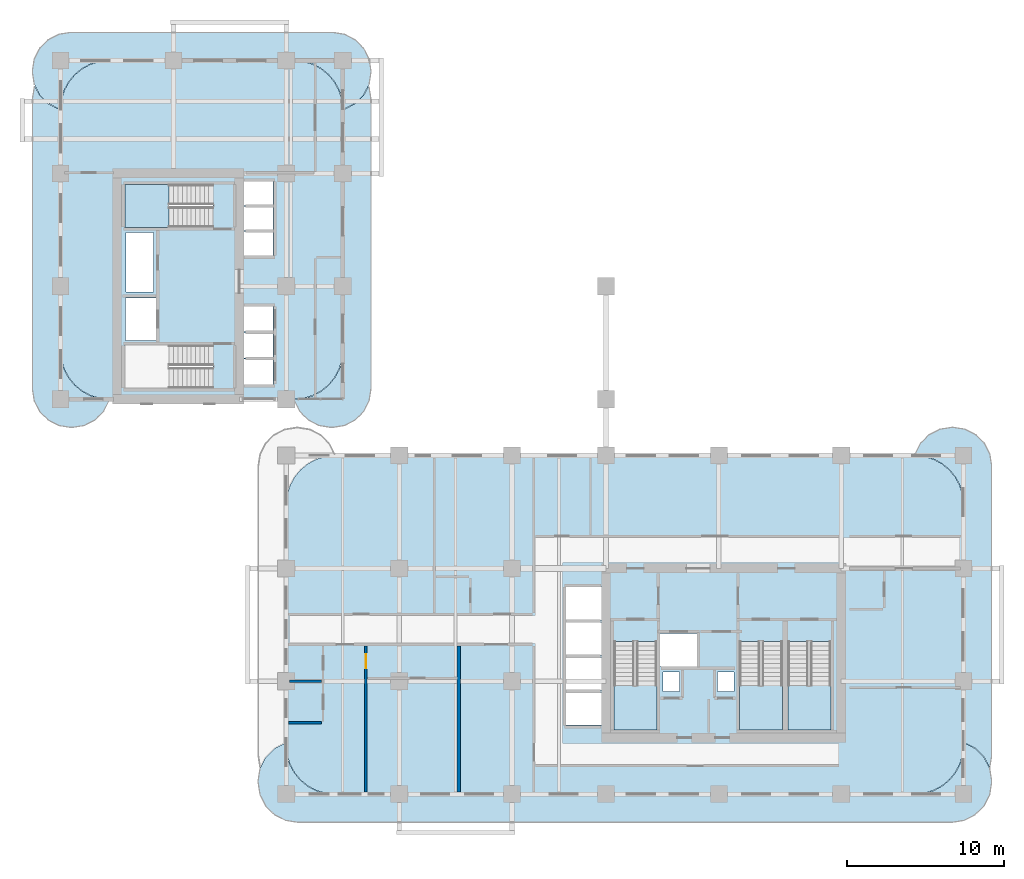
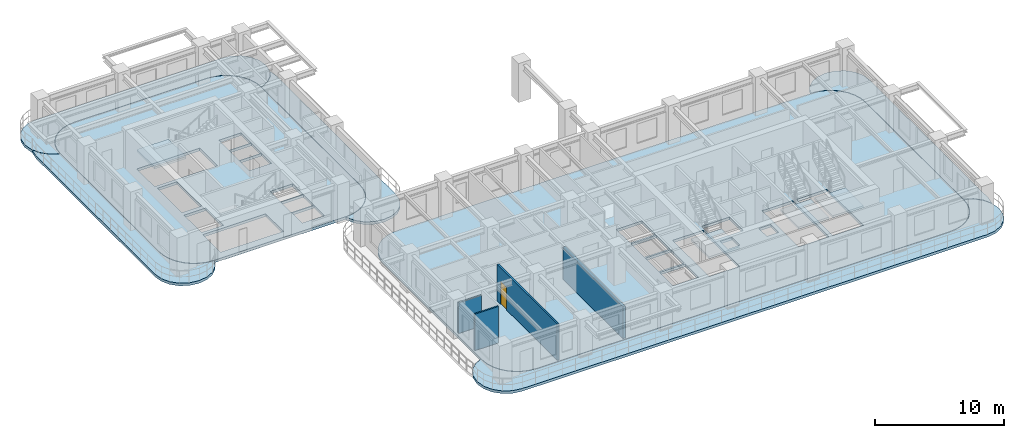
# One storey, part 5 of 18: 11 slabs, 4 walls, 1 door, 1 opening, 4 elements without a shape of their own.
"""IFC4 building model written with IfcOpenShell, lengths in metres."""

from ifc_helpers import new_model, si_unit, derived_unit, direction, frame, frame_2d, origin, place, context, subcontext, project, spatial, polyline, rectangle, outline, extrude, source, transform, mapped, material, layer, layer_set, type_object, type_shapes, element, fill, aggregate, save


model = new_model("IFC4")

# Units and contexts
model_context = context("Model", 3, precision=1e-05, world=origin(), true_north=direction((0.0, 1.0)))
body_context = subcontext(model_context, "Body", "Model", "MODEL_VIEW")
ifc_project = project(units=[si_unit("LENGTHUNIT", "METRE"), si_unit("AREAUNIT", "SQUARE_METRE"), si_unit("VOLUMEUNIT", "CUBIC_METRE"), si_unit("PLANEANGLEUNIT", "RADIAN"), si_unit("MASSUNIT", "GRAM", prefix="KILO"), si_unit("THERMODYNAMICTEMPERATUREUNIT", "KELVIN"), si_unit("POWERUNIT", "WATT"), derived_unit("THERMALTRANSMITTANCEUNIT", [(si_unit("POWERUNIT", "WATT"), 1), (si_unit("AREAUNIT", "SQUARE_METRE"), -1), (si_unit("THERMODYNAMICTEMPERATUREUNIT", "KELVIN"), -1)])], contexts=[model_context])

# Site, building, storey
site_placement = place(None, origin())
site = spatial("IfcSite", under=ifc_project, at=site_placement, CompositionType="ELEMENT")
building_placement = place(site_placement, origin())
building = spatial("IfcBuilding", under=site, at=building_placement, Name="Zahravan Archway Hotel and Residences", CompositionType="ELEMENT")
storey_placement = place(building_placement, frame((0.0, 0.0, 58.300048828125)))
storey = spatial("IfcBuildingStorey", under=building, at=storey_placement, Name="L13", CompositionType="ELEMENT", Elevation=58.300048828125)

# Slabs
ifc_material_1 = material(Name="Concrete C45/55", Category="concrete")
ifc_layer_1 = layer(ifc_material_1, 0.25, Name="Concrete C45/55", Category="concrete")
ifc_layer_set_1 = layer_set([ifc_layer_1], Name="Concrete C45/55")
slab_type_1 = type_object("IfcSlabType", Name="SLB-BALC-250", PredefinedType="FLOOR", material=ifc_layer_set_1)
slab_1_placement = place(storey_placement, frame((0.0, 0.0, -0.25)))
element("IfcSlab", 1, at=slab_1_placement, inside=storey, type_object=slab_type_1, Name="L13 Wing A South Rounded Balcony Band", PredefinedType="FLOOR", context=body_context, shape_type="SweptSolid", body=[
    extrude(outline(polyline([(57.637939453125, 3.275146484375), (58.348876953125, 2.9130859375), (58.9130859375, 2.348876953125), (59.275146484375, 1.637939453125), (59.39990234375, 0.85009765625), (59.39990234375, 0.75), (59.275146484375, -0.0380859375), (58.9130859375, -0.748779296875), (58.348876953125, -1.31298828125), (57.637939453125, -1.67529296875), (56.85009765625, -1.800048828125), (15.14990234375, -1.800048828125), (14.362060546875, -1.67529296875), (13.651123046875, -1.31298828125), (13.0869140625, -0.748779296875), (12.724853515625, -0.0380859375), (12.60009765625, 0.75), (12.60009765625, 0.85009765625), (12.724853515625, 1.637939453125), (13.0869140625, 2.348876953125), (13.651123046875, 2.9130859375), (14.362060546875, 3.275146484375), (14.3798828125, 3.278076171875), (14.3798828125, 3.10009765625), (14.380126953125, 3.097900390625), (14.439697265625, 2.4931640625), (14.43994140625, 2.4912109375), (14.4404296875, 2.489501953125), (14.616943359375, 1.907958984375), (14.617431640625, 1.906005859375), (14.618408203125, 1.904296875), (14.90478515625, 1.368408203125), (14.90576171875, 1.36669921875), (14.906982421875, 1.364990234375), (15.29248046875, 0.895263671875), (15.2939453125, 0.893798828125), (15.29541015625, 0.892578125), (15.764892578125, 0.5068359375), (15.7666015625, 0.505859375), (15.768310546875, 0.5048828125), (16.30419921875, 0.218505859375), (16.305908203125, 0.217529296875), (16.307861328125, 0.216796875), (16.889404296875, 0.04052734375), (16.891357421875, 0.0400390625), (16.893310546875, 0.039794921875), (17.498046875, -0.02001953125), (17.5, -0.02001953125), (54.5, -0.02001953125), (54.501953125, -0.02001953125), (55.106689453125, 0.039794921875), (55.108642578125, 0.0400390625), (55.110595703125, 0.04052734375), (55.692138671875, 0.216796875), (55.694091796875, 0.217529296875), (55.69580078125, 0.218505859375), (56.231689453125, 0.5048828125), (56.2333984375, 0.505859375), (56.235107421875, 0.5068359375), (56.70458984375, 0.892578125), (56.7060546875, 0.893798828125), (56.70751953125, 0.895263671875), (57.093017578125, 1.364990234375), (57.09423828125, 1.36669921875), (57.09521484375, 1.368408203125), (57.381591796875, 1.904296875), (57.382568359375, 1.906005859375), (57.383056640625, 1.907958984375), (57.5595703125, 2.489501953125), (57.56005859375, 2.4912109375), (57.560302734375, 2.4931640625), (57.619873046875, 3.097900390625), (57.6201171875, 3.10009765625), (57.6201171875, 3.278076171875), (57.637939453125, 3.275146484375)])), origin(), (0.0, 0.0, 1.0), 0.25),
])
slab_2_placement = place(storey_placement, frame((0.0, 0.0, -0.25)))
element("IfcSlab", 2, at=slab_2_placement, inside=storey, type_object=slab_type_1, Name="L13 Wing A East Rounded Balcony Band", PredefinedType="FLOOR", context=body_context, shape_type="SweptSolid", body=[
    extrude(outline(polyline([(54.52001953125, 21.70703125), (54.867919921875, 22.39013671875), (55.409912109375, 22.93212890625), (56.093017578125, 23.280029296875), (56.85009765625, 23.39990234375), (56.949951171875, 23.39990234375), (57.70703125, 23.280029296875), (58.39013671875, 22.93212890625), (58.93212890625, 22.39013671875), (59.280029296875, 21.70703125), (59.39990234375, 20.949951171875), (59.39990234375, 2.449951171875), (59.280029296875, 1.69287109375), (59.27490234375, 1.6826171875), (58.930908203125, 2.35791015625), (58.9296875, 2.35986328125), (58.928466796875, 2.361572265625), (58.927001953125, 2.363037109375), (58.363037109375, 2.927001953125), (58.361572265625, 2.928466796875), (58.35986328125, 2.9296875), (58.35791015625, 2.930908203125), (57.647216796875, 3.29296875), (57.645263671875, 3.2939453125), (57.643310546875, 3.29443359375), (57.64111328125, 3.294921875), (57.623046875, 3.2978515625), (57.62109375, 3.298095703125), (57.6201171875, 3.298095703125), (57.6201171875, 18.5), (57.619873046875, 18.501953125), (57.560302734375, 19.106689453125), (57.56005859375, 19.108642578125), (57.5595703125, 19.110595703125), (57.383056640625, 19.692138671875), (57.382568359375, 19.694091796875), (57.381591796875, 19.69580078125), (57.09521484375, 20.231689453125), (57.09423828125, 20.2333984375), (57.093017578125, 20.235107421875), (56.70751953125, 20.70458984375), (56.7060546875, 20.7060546875), (56.70458984375, 20.70751953125), (56.235107421875, 21.093017578125), (56.2333984375, 21.09423828125), (56.231689453125, 21.09521484375), (55.69580078125, 21.381591796875), (55.694091796875, 21.382568359375), (55.692138671875, 21.383056640625), (55.110595703125, 21.5595703125), (55.108642578125, 21.56005859375), (55.106689453125, 21.560302734375), (54.506103515625, 21.619384765625), (54.52001953125, 21.70703125)])), origin(), (0.0, 0.0, 1.0), 0.25),
])
slab_3_placement = place(storey_placement, frame((0.0, 0.0, -0.25)))
element("IfcSlab", 3, at=slab_3_placement, inside=storey, type_object=slab_type_1, Name="L13 Wing B North Rounded Balcony Band", PredefinedType="FLOOR", context=body_context, shape_type="SweptSolid", body=[
    extrude(outline(polyline([(-0.107177734375, 43.719970703125), (-0.7900390625, 44.06787109375), (-1.33203125, 44.60986328125), (-1.68017578125, 45.29296875), (-1.800048828125, 46.050048828125), (-1.800048828125, 46.14990234375), (-1.68017578125, 46.906982421875), (-1.33203125, 47.590087890625), (-0.7900390625, 48.132080078125), (-0.107177734375, 48.47998046875), (0.64990234375, 48.60009765625), (17.35009765625, 48.60009765625), (18.107177734375, 48.47998046875), (18.7900390625, 48.132080078125), (19.33203125, 47.590087890625), (19.68017578125, 46.906982421875), (19.800048828125, 46.14990234375), (19.800048828125, 46.050048828125), (19.68017578125, 45.29296875), (19.33203125, 44.60986328125), (18.7900390625, 44.06787109375), (18.107177734375, 43.719970703125), (18.01953125, 43.7060546875), (17.960205078125, 44.306884765625), (17.9599609375, 44.30859375), (17.95947265625, 44.310546875), (17.783203125, 44.89208984375), (17.782470703125, 44.89404296875), (17.781494140625, 44.895751953125), (17.4951171875, 45.431640625), (17.494140625, 45.433349609375), (17.4931640625, 45.43505859375), (17.107421875, 45.90478515625), (17.106201171875, 45.906005859375), (17.104736328125, 45.907470703125), (16.635009765625, 46.293212890625), (16.63330078125, 46.294189453125), (16.631591796875, 46.295166015625), (16.095703125, 46.58154296875), (16.093994140625, 46.58251953125), (16.092041015625, 46.5830078125), (15.510498046875, 46.759521484375), (15.5087890625, 46.760009765625), (15.5068359375, 46.76025390625), (14.902099609375, 46.81982421875), (14.89990234375, 46.820068359375), (3.10009765625, 46.820068359375), (3.097900390625, 46.81982421875), (2.4931640625, 46.76025390625), (2.4912109375, 46.760009765625), (2.489501953125, 46.759521484375), (1.907958984375, 46.5830078125), (1.906005859375, 46.58251953125), (1.904296875, 46.58154296875), (1.368408203125, 46.295166015625), (1.36669921875, 46.294189453125), (1.364990234375, 46.293212890625), (0.895263671875, 45.907470703125), (0.893798828125, 45.906005859375), (0.892578125, 45.90478515625), (0.5068359375, 45.43505859375), (0.505859375, 45.433349609375), (0.5048828125, 45.431640625), (0.218505859375, 44.895751953125), (0.217529296875, 44.89404296875), (0.216796875, 44.89208984375), (0.04052734375, 44.310546875), (0.0400390625, 44.30859375), (0.039794921875, 44.306884765625), (-0.01953125, 43.7060546875), (-0.107177734375, 43.719970703125)])), origin(), (0.0, 0.0, 1.0), 0.25),
])
slab_4_placement = place(storey_placement, frame((0.0, 0.0, -0.25)))
element("IfcSlab", 4, at=slab_4_placement, inside=storey, type_object=slab_type_1, Name="L13 Wing B West Rounded Balcony Band", PredefinedType="FLOOR", context=body_context, shape_type="SweptSolid", body=[
    extrude(outline(polyline([(3.080078125, 25.093017578125), (2.732177734375, 24.409912109375), (2.190185546875, 23.867919921875), (1.507080078125, 23.52001953125), (0.75, 23.39990234375), (0.64990234375, 23.39990234375), (-0.107177734375, 23.52001953125), (-0.7900390625, 23.867919921875), (-1.33203125, 24.409912109375), (-1.68017578125, 25.093017578125), (-1.800048828125, 25.85009765625), (-1.800048828125, 44.35009765625), (-1.68017578125, 45.107177734375), (-1.64404296875, 45.177978515625), (-1.349853515625, 44.600830078125), (-1.348876953125, 44.59912109375), (-1.34765625, 44.597412109375), (-1.34619140625, 44.595703125), (-0.80419921875, 44.0537109375), (-0.802734375, 44.052490234375), (-0.801025390625, 44.051025390625), (-0.79931640625, 44.050048828125), (-0.1162109375, 43.7021484375), (-0.1142578125, 43.701171875), (-0.1123046875, 43.70068359375), (-0.110107421875, 43.7001953125), (-0.022705078125, 43.686279296875), (-0.020751953125, 43.68603515625), (-0.02001953125, 43.68603515625), (-0.02001953125, 28.300048828125), (-0.02001953125, 28.298095703125), (0.039794921875, 27.693115234375), (0.0400390625, 27.69140625), (0.04052734375, 27.689453125), (0.216796875, 27.10791015625), (0.217529296875, 27.10595703125), (0.218505859375, 27.104248046875), (0.5048828125, 26.568359375), (0.505859375, 26.566650390625), (0.5068359375, 26.56494140625), (0.892578125, 26.09521484375), (0.893798828125, 26.093994140625), (0.895263671875, 26.092529296875), (1.364990234375, 25.706787109375), (1.36669921875, 25.705810546875), (1.368408203125, 25.704833984375), (1.904296875, 25.41845703125), (1.906005859375, 25.41748046875), (1.907958984375, 25.4169921875), (2.489501953125, 25.240478515625), (2.4912109375, 25.239990234375), (2.4931640625, 25.23974609375), (3.093994140625, 25.180419921875), (3.080078125, 25.093017578125)])), origin(), (0.0, 0.0, 1.0), 0.25),
])
slab_5_placement = place(storey_placement, frame((0.0, 0.0, -0.25)))
element("IfcSlab", 5, at=slab_5_placement, inside=storey, type_object=slab_type_1, Name="L13 Wing B East Rounded Balcony Band", PredefinedType="FLOOR", context=body_context, shape_type="SweptSolid", body=[
    extrude(outline(polyline([(19.68017578125, 45.107177734375), (19.800048828125, 44.35009765625), (19.800048828125, 25.85009765625), (19.68017578125, 25.093017578125), (19.33203125, 24.409912109375), (18.7900390625, 23.867919921875), (18.107177734375, 23.52001953125), (17.35009765625, 23.39990234375), (17.25, 23.39990234375), (16.492919921875, 23.52001953125), (15.809814453125, 23.867919921875), (15.267822265625, 24.409912109375), (14.919921875, 25.093017578125), (14.906005859375, 25.180419921875), (15.5068359375, 25.23974609375), (15.5087890625, 25.239990234375), (15.510498046875, 25.240478515625), (16.092041015625, 25.4169921875), (16.093994140625, 25.41748046875), (16.095703125, 25.41845703125), (16.631591796875, 25.704833984375), (16.63330078125, 25.705810546875), (16.635009765625, 25.706787109375), (17.104736328125, 26.092529296875), (17.106201171875, 26.093994140625), (17.107421875, 26.09521484375), (17.4931640625, 26.56494140625), (17.494140625, 26.566650390625), (17.4951171875, 26.568359375), (17.781494140625, 27.104248046875), (17.782470703125, 27.10595703125), (17.783203125, 27.10791015625), (17.95947265625, 27.689453125), (17.9599609375, 27.69140625), (17.960205078125, 27.693115234375), (18.02001953125, 28.298095703125), (18.02001953125, 28.300048828125), (18.02001953125, 43.68603515625), (18.020751953125, 43.68603515625), (18.022705078125, 43.686279296875), (18.110107421875, 43.7001953125), (18.1123046875, 43.70068359375), (18.1142578125, 43.701171875), (18.1162109375, 43.7021484375), (18.79931640625, 44.050048828125), (18.801025390625, 44.051025390625), (18.802734375, 44.052490234375), (18.80419921875, 44.0537109375), (19.34619140625, 44.595703125), (19.34765625, 44.597412109375), (19.348876953125, 44.59912109375), (19.349853515625, 44.600830078125), (19.64404296875, 45.177978515625), (19.68017578125, 45.107177734375)])), origin(), (0.0, 0.0, 1.0), 0.25),
])
ifc_layer_2 = layer(ifc_material_1, 0.25, Name="Concrete C45/55", Category="concrete")
ifc_layer_set_2 = layer_set([ifc_layer_2], Name="Concrete C45/55")
slab_type_2 = type_object("IfcSlabType", Name="SLB-FLR-250", PredefinedType="FLOOR", material=ifc_layer_set_2)
slab_6_placement = place(storey_placement, frame((0.0, 0.0, -0.25)))
element("IfcSlab", 6, at=slab_6_placement, inside=storey, type_object=slab_type_2, Name="L13 Floor Slab WA", PredefinedType="FLOOR", context=body_context, shape_type="SweptSolid", body=[
    extrude(outline(polyline([(54.5, 0.0), (55.104736328125, 0.0595703125), (55.686279296875, 0.236083984375), (56.222412109375, 0.5224609375), (56.69189453125, 0.907958984375), (57.07763671875, 1.377685546875), (57.364013671875, 1.913818359375), (57.540283203125, 2.4951171875), (57.60009765625, 3.10009765625), (57.60009765625, 18.5), (57.540283203125, 19.104736328125), (57.364013671875, 19.686279296875), (57.07763671875, 20.222412109375), (56.69189453125, 20.69189453125), (56.222412109375, 21.07763671875), (55.686279296875, 21.364013671875), (55.104736328125, 21.540283203125), (54.5, 21.60009765625), (17.5, 21.60009765625), (16.895263671875, 21.540283203125), (16.313720703125, 21.364013671875), (15.777587890625, 21.07763671875), (15.30810546875, 20.69189453125), (14.92236328125, 20.222412109375), (14.635986328125, 19.686279296875), (14.459716796875, 19.104736328125), (14.39990234375, 18.5), (14.39990234375, 3.10009765625), (14.459716796875, 2.4951171875), (14.635986328125, 1.913818359375), (14.92236328125, 1.377685546875), (15.30810546875, 0.907958984375), (15.777587890625, 0.5224609375), (16.313720703125, 0.236083984375), (16.895263671875, 0.0595703125), (17.5, 0.0), (54.5, 0.0)]), holes=[polyline([(35.300048828125, 9.72998046875), (35.300048828125, 4.10009765625), (38.0400390625, 4.10009765625), (38.0400390625, 9.72998046875), (35.300048828125, 9.72998046875)]), polyline([(43.320068359375, 9.72998046875), (43.320068359375, 4.10009765625), (46.06005859375, 4.10009765625), (46.06005859375, 9.72998046875), (43.320068359375, 9.72998046875)]), polyline([(46.39990234375, 9.72998046875), (46.39990234375, 4.10009765625), (49.139892578125, 4.10009765625), (49.139892578125, 9.72998046875), (46.39990234375, 9.72998046875)]), polyline([(38.179931640625, 8.14990234375), (40.699951171875, 8.14990234375), (40.699951171875, 10.25), (38.179931640625, 10.25), (38.179931640625, 8.14990234375)]), polyline([(32.25, 4.39990234375), (34.550048828125, 4.39990234375), (34.550048828125, 6.47998046875), (32.25, 6.47998046875), (32.25, 4.39990234375)]), polyline([(32.25, 6.639892578125), (34.550048828125, 6.639892578125), (34.550048828125, 8.719970703125), (32.25, 8.719970703125), (32.25, 6.639892578125)]), polyline([(32.25, 8.8798828125), (34.550048828125, 8.8798828125), (34.550048828125, 10.9599609375), (32.25, 10.9599609375), (32.25, 8.8798828125)]), polyline([(32.25, 11.1201171875), (34.550048828125, 11.1201171875), (34.550048828125, 13.199951171875), (32.25, 13.199951171875), (32.25, 11.1201171875)]), polyline([(38.419921875, 6.56005859375), (39.5, 6.56005859375), (39.5, 7.780029296875), (38.419921875, 7.780029296875), (38.419921875, 6.56005859375)]), polyline([(41.89990234375, 6.56005859375), (42.9599609375, 6.56005859375), (42.9599609375, 7.780029296875), (41.89990234375, 7.780029296875), (41.89990234375, 6.56005859375)])]), origin(), (0.0, 0.0, 1.0), 0.25),
])
slab_7_placement = place(storey_placement, frame((0.0, 0.0, -0.25)))
element("IfcSlab", 7, at=slab_7_placement, inside=storey, type_object=slab_type_2, Name="L13 Floor Slab WB", PredefinedType="FLOOR", context=body_context, shape_type="SweptSolid", body=[
    extrude(outline(polyline([(14.89990234375, 25.199951171875), (15.5048828125, 25.259521484375), (16.086181640625, 25.43603515625), (16.622314453125, 25.722412109375), (17.092041015625, 26.10791015625), (17.4775390625, 26.57763671875), (17.763916015625, 27.11376953125), (17.9404296875, 27.6953125), (18.0, 28.300048828125), (18.0, 43.699951171875), (17.9404296875, 44.3046875), (17.763916015625, 44.88623046875), (17.4775390625, 45.42236328125), (17.092041015625, 45.89208984375), (16.622314453125, 46.277587890625), (16.086181640625, 46.56396484375), (15.5048828125, 46.740478515625), (14.89990234375, 46.800048828125), (3.10009765625, 46.800048828125), (2.4951171875, 46.740478515625), (1.913818359375, 46.56396484375), (1.377685546875, 46.277587890625), (0.907958984375, 45.89208984375), (0.5224609375, 45.42236328125), (0.236083984375, 44.88623046875), (0.0595703125, 44.3046875), (0.0, 43.699951171875), (0.0, 28.300048828125), (0.0595703125, 27.6953125), (0.236083984375, 27.11376953125), (0.5224609375, 26.57763671875), (0.907958984375, 26.10791015625), (1.377685546875, 25.722412109375), (1.913818359375, 25.43603515625), (2.4951171875, 25.259521484375), (3.10009765625, 25.199951171875), (14.89990234375, 25.199951171875)]), holes=[polyline([(9.72998046875, 28.639892578125), (4.10009765625, 28.639892578125), (4.10009765625, 25.89990234375), (9.72998046875, 25.89990234375), (9.72998046875, 28.639892578125)]), polyline([(9.72998046875, 38.89990234375), (4.10009765625, 38.89990234375), (4.10009765625, 36.159912109375), (9.72998046875, 36.159912109375), (9.72998046875, 38.89990234375)]), polyline([(4.14990234375, 28.949951171875), (6.10009765625, 28.949951171875), (6.10009765625, 31.64990234375), (4.14990234375, 31.64990234375), (4.14990234375, 28.949951171875)]), polyline([(11.550048828125, 26.14990234375), (13.550048828125, 26.14990234375), (13.550048828125, 27.75), (11.550048828125, 27.75), (11.550048828125, 26.14990234375)]), polyline([(11.550048828125, 27.830078125), (13.550048828125, 27.830078125), (13.550048828125, 29.429931640625), (11.550048828125, 29.429931640625), (11.550048828125, 27.830078125)]), polyline([(11.550048828125, 29.510009765625), (13.550048828125, 29.510009765625), (13.550048828125, 31.110107421875), (11.550048828125, 31.110107421875), (11.550048828125, 29.510009765625)]), polyline([(11.550048828125, 34.35009765625), (13.550048828125, 34.35009765625), (13.550048828125, 35.889892578125), (11.550048828125, 35.889892578125), (11.550048828125, 34.35009765625)]), polyline([(11.550048828125, 35.949951171875), (13.550048828125, 35.949951171875), (13.550048828125, 37.489990234375), (11.550048828125, 37.489990234375), (11.550048828125, 35.949951171875)]), polyline([(11.550048828125, 37.550048828125), (13.550048828125, 37.550048828125), (13.550048828125, 39.090087890625), (11.550048828125, 39.090087890625), (11.550048828125, 37.550048828125)]), polyline([(4.179931640625, 32.050048828125), (5.93994140625, 32.050048828125), (5.93994140625, 35.840087890625), (4.179931640625, 35.840087890625), (4.179931640625, 32.050048828125)])]), origin(), (0.0, 0.0, 1.0), 0.25),
])

# Stair, slab
ifc_material_2 = material(Name="Concrete C50/60", Category="concrete")
stair_type = type_object("IfcStairType", Name="STR-CORE-1300", PredefinedType="HALF_TURN_STAIR", material=ifc_material_2)
stair_1_placement = place(storey_placement, origin())
stair_1 = element("IfcStair", 8, at=stair_1_placement, inside=storey, type_object=stair_type, Name="L13 Core A Exit Stair 1", PredefinedType="HALF_TURN_STAIR")
ifc_layer_3 = layer(ifc_material_2, 0.199951171875, Name="Concrete C50/60", Category="concrete")
ifc_layer_set_3 = layer_set([ifc_layer_3], Name="Concrete C50/60")
slab_type_3 = type_object("IfcSlabType", Name="SLB-LND-200", PredefinedType="LANDING", material=ifc_layer_set_3)
slab_8_placement = place(storey_placement, frame((0.0, 0.0, 1.64990234375)))
slab_8 = element("IfcSlab", 9, at=slab_8_placement, type_object=slab_type_3, Name="ST-A1 landing 1", PredefinedType="LANDING", context=body_context, shape_type="SweptSolid", body=[
    extrude(outline(polyline([(35.300048828125, 6.929931640625), (35.300048828125, 4.10009765625), (38.0400390625, 4.10009765625), (38.0400390625, 6.929931640625), (35.300048828125, 6.929931640625)])), origin(), (0.0, 0.0, 1.0), 0.199951171875),
])
aggregate(stair_1, [slab_8])

stair_2_placement = place(storey_placement, origin())
stair_2 = element("IfcStair", 10, at=stair_2_placement, inside=storey, type_object=stair_type, Name="L13 Core A Exit Stair 2", PredefinedType="HALF_TURN_STAIR")
slab_9_placement = place(storey_placement, frame((0.0, 0.0, 1.64990234375)))
slab_9 = element("IfcSlab", 11, at=slab_9_placement, type_object=slab_type_3, Name="ST-A2 landing 1", PredefinedType="LANDING", context=body_context, shape_type="SweptSolid", body=[
    extrude(outline(polyline([(43.320068359375, 6.929931640625), (43.320068359375, 4.10009765625), (46.06005859375, 4.10009765625), (46.06005859375, 6.929931640625), (43.320068359375, 6.929931640625)])), origin(), (0.0, 0.0, 1.0), 0.199951171875),
])
aggregate(stair_2, [slab_9])

stair_3_placement = place(storey_placement, origin())
stair_3 = element("IfcStair", 12, at=stair_3_placement, inside=storey, type_object=stair_type, Name="L13 Core A Exit Stair 3", PredefinedType="HALF_TURN_STAIR")
slab_10_placement = place(storey_placement, frame((0.0, 0.0, 1.64990234375)))
slab_10 = element("IfcSlab", 13, at=slab_10_placement, type_object=slab_type_3, Name="ST-A3 landing 1", PredefinedType="LANDING", context=body_context, shape_type="SweptSolid", body=[
    extrude(outline(polyline([(46.39990234375, 6.929931640625), (46.39990234375, 4.10009765625), (49.139892578125, 4.10009765625), (49.139892578125, 6.929931640625), (46.39990234375, 6.929931640625)])), origin(), (0.0, 0.0, 1.0), 0.199951171875),
])
aggregate(stair_3, [slab_10])

stair_4_placement = place(storey_placement, origin())
stair_4 = element("IfcStair", 14, at=stair_4_placement, inside=storey, type_object=stair_type, Name="L13 Core B Exit Stair 2", PredefinedType="HALF_TURN_STAIR")
slab_11_placement = place(storey_placement, frame((0.0, 0.0, 1.64990234375)))
slab_11 = element("IfcSlab", 15, at=slab_11_placement, type_object=slab_type_3, Name="ST-B2 landing 1", PredefinedType="LANDING", context=body_context, shape_type="SweptSolid", body=[
    extrude(outline(polyline([(6.929931640625, 38.89990234375), (4.10009765625, 38.89990234375), (4.10009765625, 36.159912109375), (6.929931640625, 36.159912109375), (6.929931640625, 38.89990234375)])), origin(), (0.0, 0.0, 1.0), 0.199951171875),
])
aggregate(stair_4, [slab_11])

# Wall
ifc_material_3 = material(Name="Fire-Rated Gypsum & Concrete Block", Category="concrete")
ifc_layer_4 = layer(ifc_material_3, 0.219970703125, Name="Fire-Rated Gypsum & Concrete Block", Category="concrete")
ifc_layer_set_4 = layer_set([ifc_layer_4], Name="Fire-Rated Gypsum & Concrete Block")
wall_type_1 = type_object("IfcWallType", Name="PW-COMP-220", PredefinedType="PARTITIONING", material=ifc_layer_set_4)
wall_1_placement = place(storey_placement, frame((25.39990234375, 0.14794921875, 0.0), z_axis=(0.0, 0.0, 1.0), x_axis=(0.0, 1.0, 0.0)))
element("IfcWall", 16, at=wall_1_placement, inside=storey, type_object=wall_type_1, Name="L13 Partition WAS-3S", PredefinedType="PARTITIONING", context=body_context, shape_type="SweptSolid", body=[
    extrude(rectangle(XDim=9.31201171875, YDim=0.219970703125, at=frame_2d((4.656005859375, 0.0))), origin(), (0.0, 0.0, 1.0), 3.034912109375),
])

# Wall, opening, door
ifc_material_4 = material(Name="Acoustic Stud Partition")
ifc_layer_5 = layer(ifc_material_4, 0.14990234375, Name="Acoustic Stud Partition")
ifc_layer_set_5 = layer_set([ifc_layer_5], Name="Acoustic Stud Partition")
wall_type_2 = type_object("IfcWallType", Name="PW-UNIT-150", PredefinedType="PARTITIONING", material=ifc_layer_set_5)
wall_2_placement = place(storey_placement, frame((19.47998046875, 0.14794921875, 0.0), z_axis=(0.0, 0.0, 1.0), x_axis=(0.0, 1.0, 0.0)))
wall_2 = element("IfcWall", 17, at=wall_2_placement, inside=storey, type_object=wall_type_2, Name="L13 Partition FL-HS1-SP", PredefinedType="PARTITIONING", context=body_context, shape_type="SweptSolid", body=[
    extrude(rectangle(XDim=9.31201171875, YDim=0.14990234375, at=frame_2d((4.656005859375, 0.0))), origin(), (0.0, 0.0, 1.0), 3.449951171875),
])
opening_placement = place(wall_2_placement, frame((7.876953125, 0.0, 0.0)))
opening = element("IfcOpeningElement", 18, at=opening_placement, cuts=wall_2, Name="Opening D-I2", PredefinedType="OPENING", context=body_context, shape_type="SweptSolid", body=[
    extrude(rectangle(XDim=0.89990234375, YDim=2.14990234375, at=frame_2d((0.449951171875, 1.074951171875))), frame((0.0, 0.0849609375, 0.0), z_axis=(0.0, -1.0, 0.0), x_axis=(1.0, 0.0, 0.0)), (0.0, 0.0, 1.0), 0.169921875),
])
ifc_material_5 = material(Name="Hardwood Veneer Timber", Category="wood")
door_type = type_object("IfcDoorType", Name="ID-INT-900", OperationType="NOTDEFINED", PredefinedType="DOOR", material=ifc_material_5)
shared_shape = source(origin(), body_context, "Body", "SweptSolid", [
    extrude(rectangle(XDim=0.89990234375, YDim=2.14990234375, at=frame_2d((0.449951171875, 1.074951171875))), frame((0.0, 0.02490234375, 0.0), z_axis=(0.0, -1.0, 0.0), x_axis=(1.0, 0.0, 0.0)), (0.0, 0.0, 1.0), 0.050048828125),
])
type_shapes(door_type, [shared_shape])
door_placement = place(opening_placement, origin())
door = element("IfcDoor", 19, at=door_placement, inside=storey, type_object=door_type, Name="L13 Flat HS1 Bedroom Hall Door", OperationType="SINGLE_SWING_RIGHT", OverallHeight=2.14990234375, OverallWidth=0.89990234375, PredefinedType="DOOR", context=body_context, shape_type="MappedRepresentation", body=[
    mapped(shared_shape, transform((0.0, 0.0, 0.0), scale=1.0)),
])
fill(opening, door)

# Walls
ifc_material_6 = material(Name="Moisture-Resistant Blockwork", Category="masonry")
ifc_layer_6 = layer(ifc_material_6, 0.139892578125, Name="Moisture-Resistant Blockwork", Category="masonry")
ifc_layer_set_6 = layer_set([ifc_layer_6], Name="Moisture-Resistant Blockwork")
wall_type_3 = type_object("IfcWallType", Name="PW-WET-140", PredefinedType="PARTITIONING", material=ifc_layer_set_6)
wall_3_placement = place(storey_placement, frame((14.590087890625, 7.199951171875, 0.0), z_axis=(0.0, 0.0, 1.0), x_axis=(1.0, 0.0, 0.0)))
element("IfcWall", 20, at=wall_3_placement, inside=storey, type_object=wall_type_3, Name="L13 Partition FL-HS1-BM", PredefinedType="PARTITIONING", context=body_context, shape_type="SweptSolid", body=[
    extrude(rectangle(XDim=2.06982421875, YDim=0.139892578125, at=frame_2d((1.034912109375, 0.0))), origin(), (0.0, 0.0, 1.0), 2.885009765625),
])
wall_4_placement = place(storey_placement, frame((14.548095703125, 4.550048828125, 0.0), z_axis=(0.0, 0.0, 1.0), x_axis=(1.0, 0.0, 0.0)))
element("IfcWall", 21, at=wall_4_placement, inside=storey, type_object=wall_type_3, Name="L13 Partition FL-HS1-KH", PredefinedType="PARTITIONING", context=body_context, shape_type="SweptSolid", body=[
    extrude(rectangle(XDim=2.11181640625, YDim=0.139892578125, at=frame_2d((1.055908203125, 0.0))), origin(), (0.0, 0.0, 1.0), 3.449951171875),
])

save(model, "model.ifc")
